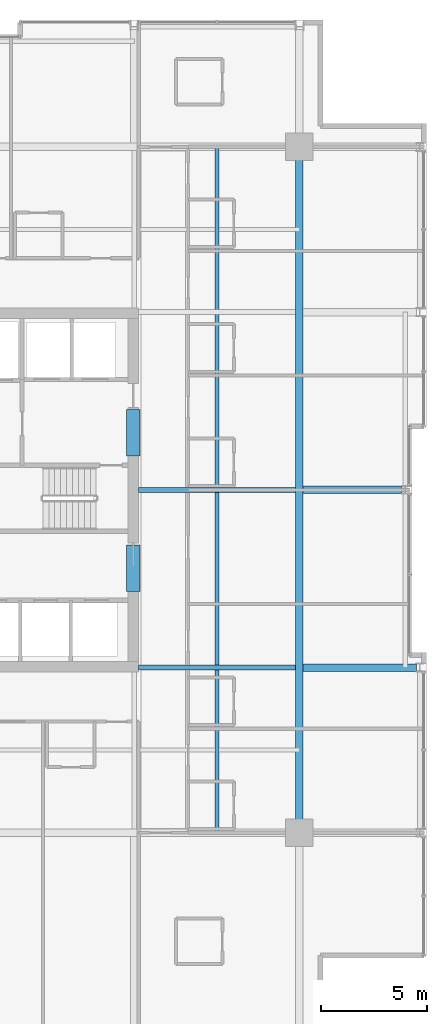
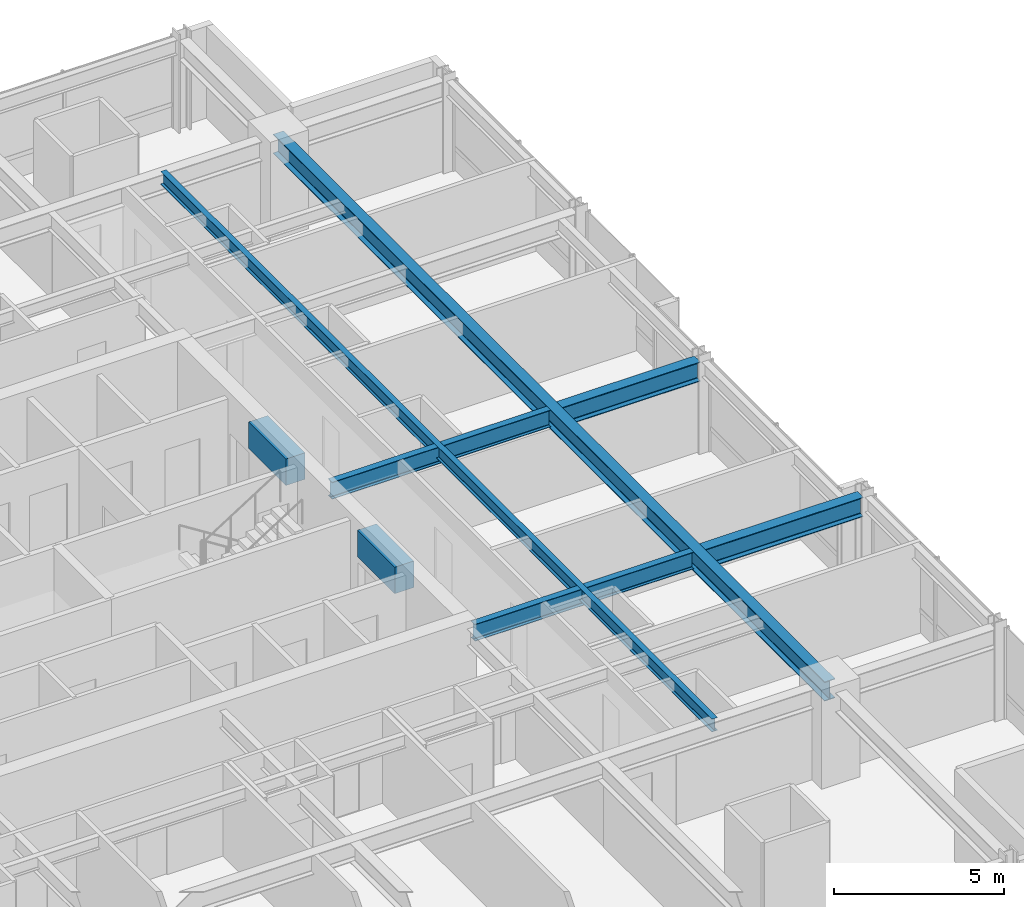
# One storey, part 14 of 32: 8 beams.
"""IFC4 building model written with IfcOpenShell, lengths in metres."""

from ifc_helpers import new_model, si_unit, direction, frame, origin, origin_2d, place, context, subcontext, project, spatial, rectangle, i_section, extrude, material, material_profile, profile_set, type_object, element, save


model = new_model("IFC4")

# Units and contexts
model_context = context("Model", 3, precision=1e-05, world=origin(), true_north=direction((0.0, 1.0)))
body_context = subcontext(model_context, "Body", "Model", "MODEL_VIEW")
ifc_project = project(units=[si_unit("LENGTHUNIT", "METRE"), si_unit("AREAUNIT", "SQUARE_METRE"), si_unit("VOLUMEUNIT", "CUBIC_METRE"), si_unit("PLANEANGLEUNIT", "RADIAN"), si_unit("MASSUNIT", "GRAM", prefix="KILO")], contexts=[model_context])

# Site, building, storey
site_placement = place(None, origin())
site = spatial("IfcSite", under=ifc_project, at=site_placement, CompositionType="ELEMENT")
building_placement = place(site_placement, origin())
building = spatial("IfcBuilding", under=site, at=building_placement, Name="Drelvath Grand Hotel", CompositionType="ELEMENT")
storey_placement = place(building_placement, frame((0.0, 0.0, 157.5)))
storey = spatial("IfcBuildingStorey", under=building, at=storey_placement, Name="L40", CompositionType="ELEMENT", Elevation=157.5)

# Beams
ifc_material_1 = material(Name="Steel ASTM A992 Gr 50", Category="steel")
ifc_material_profile_1 = material_profile(ifc_material_1, i_section(OverallWidth=0.19140625, OverallDepth=0.4599609375, WebThickness=0.010009765625, FlangeThickness=0.01611328125, FilletRadius=0.01611328125, at=origin_2d()), Name="W18X55")
ifc_profile_set_1 = profile_set([ifc_material_profile_1], Name="Steel ASTM A992 Gr 50")
beam_type_1 = type_object("IfcBeamType", Name="Composite Floor Joist W18X55", PredefinedType="JOIST", material=ifc_profile_set_1)
beam_1_placement = place(storey_placement, frame((12.300048828125, 10.800048828125, 3.06005859375), z_axis=(0.0, 1.0, 0.0), x_axis=(-1.0, 0.0, 0.0)))
element("IfcBeam", 1, at=beam_1_placement, inside=storey, type_object=beam_type_1, Name="L40 Wing Floor Joist J4", PredefinedType="JOIST", context=body_context, shape_type="SweptSolid", body=[
    extrude(i_section(OverallWidth=0.19140625, OverallDepth=0.4599609375, WebThickness=0.010009765625, FlangeThickness=0.01611328125, FilletRadius=0.01611328125, at=origin_2d()), origin(), (0.0, 0.0, 1.0), 32.39990234375),
])
ifc_material_2 = material(Name="Concrete f'c 55 MPa", Category="concrete")
ifc_material_profile_2 = material_profile(ifc_material_2, rectangle(XDim=0.64990234375, YDim=0.949951171875, at=origin_2d()), Name="CB650X950")
ifc_profile_set_2 = profile_set([ifc_material_profile_2], Name="Concrete f'c 55 MPa")
beam_type_2 = type_object("IfcBeamType", Name="Core Coupling Lintel CB650X950", PredefinedType="LINTEL", material=ifc_profile_set_2)
for number, where, z_axis, x_axis, name in (
    (2, (8.35009765625, 22.199951171875, 2.81494140625), (0.0, 1.0, 0.0), (-1.0, 0.0, 0.0), "L40 Core Coupling Lintel ES"),
    (3, (8.35009765625, 28.60009765625, 2.81494140625), (0.0, 1.0, 0.0), (-1.0, 0.0, 0.0), "L40 Core Coupling Lintel EN"),
):
    element("IfcBeam", number, at=place(storey_placement, frame(where, z_axis=z_axis, x_axis=x_axis)), inside=storey, type_object=beam_type_2, Name=name, PredefinedType="LINTEL", context=body_context, shape_type="SweptSolid", body=[
        extrude(rectangle(XDim=0.64990234375, YDim=0.949951171875, at=origin_2d()), origin(), (0.0, 0.0, 1.0), 2.199951171875),
    ])
ifc_material_profile_3 = material_profile(ifc_material_1, i_section(OverallWidth=0.228271484375, OverallDepth=0.607666015625, WebThickness=0.01123046875, FlangeThickness=0.017333984375, FilletRadius=0.02001953125, at=origin_2d()), Name="W24X76")
ifc_profile_set_3 = profile_set([ifc_material_profile_3], Name="Steel ASTM A992 Gr 50")
beam_type_3 = type_object("IfcBeamType", Name="Primary Floor Girder W24X76", PredefinedType="BEAM", material=ifc_profile_set_3)
for number, where, z_axis, x_axis, name in (
    (4, (8.60009765625, 18.60009765625, 2.986083984375), (1.0, 0.0, 0.0), (0.0, 1.0, 0.0), "L40 East Core Tie D"),
    (5, (8.60009765625, 27.0, 2.986083984375), (1.0, 0.0, 0.0), (0.0, 1.0, 0.0), "L40 East Core Tie E"),
):
    element("IfcBeam", number, at=place(storey_placement, frame(where, z_axis=z_axis, x_axis=x_axis)), inside=storey, type_object=beam_type_3, Name=name, PredefinedType="BEAM", context=body_context, shape_type="SweptSolid", body=[
        extrude(i_section(OverallWidth=0.228271484375, OverallDepth=0.607666015625, WebThickness=0.01123046875, FlangeThickness=0.017333984375, FilletRadius=0.02001953125, at=origin_2d()), origin(), (0.0, 0.0, 1.0), 7.422607421875),
    ])
ifc_material_profile_4 = material_profile(ifc_material_1, i_section(OverallWidth=0.354736328125, OverallDepth=0.695556640625, WebThickness=0.015380859375, FlangeThickness=0.025146484375, FilletRadius=0.02392578125, at=origin_2d()), Name="W27X146")
ifc_profile_set_4 = profile_set([ifc_material_profile_4], Name="Steel ASTM A992 Gr 50")
beam_type_4 = type_object("IfcBeamType", Name="Primary Floor Girder W27X146", PredefinedType="BEAM", material=ifc_profile_set_4)
beam_2_placement = place(storey_placement, frame((16.199951171875, 10.800048828125, 2.9423828125), z_axis=(0.0, 1.0, 0.0), x_axis=(-1.0, 0.0, 0.0)))
element("IfcBeam", 6, at=beam_2_placement, inside=storey, type_object=beam_type_4, Name="L40 Mega Ring Girder East", PredefinedType="BEAM", context=body_context, shape_type="SweptSolid", body=[
    extrude(i_section(OverallWidth=0.354736328125, OverallDepth=0.695556640625, WebThickness=0.015380859375, FlangeThickness=0.025146484375, FilletRadius=0.02392578125, at=origin_2d()), origin(), (0.0, 0.0, 1.0), 32.39990234375),
])
beam_3_placement = place(storey_placement, frame((16.37744140625, 18.60009765625, 2.9423828125), z_axis=(1.0, 0.0, 0.0), x_axis=(0.0, 1.0, 0.0)))
element("IfcBeam", 7, at=beam_3_placement, inside=storey, type_object=beam_type_4, Name="L40 East Wing Girder D", PredefinedType="BEAM", context=body_context, shape_type="SweptSolid", body=[
    extrude(i_section(OverallWidth=0.354736328125, OverallDepth=0.695556640625, WebThickness=0.015380859375, FlangeThickness=0.025146484375, FilletRadius=0.02392578125, at=origin_2d()), origin(), (0.0, 0.0, 1.0), 5.362548828125),
])
beam_4_placement = place(storey_placement, frame((16.37744140625, 27.0, 2.9423828125), z_axis=(1.0, 0.0, 0.0), x_axis=(0.0, 1.0, 0.0)))
element("IfcBeam", 8, at=beam_4_placement, inside=storey, type_object=beam_type_4, Name="L40 East Wing Girder E", PredefinedType="BEAM", context=body_context, shape_type="SweptSolid", body=[
    extrude(i_section(OverallWidth=0.354736328125, OverallDepth=0.695556640625, WebThickness=0.015380859375, FlangeThickness=0.025146484375, FilletRadius=0.02392578125, at=origin_2d()), origin(), (0.0, 0.0, 1.0), 4.6826171875),
])

save(model, "model.ifc")
